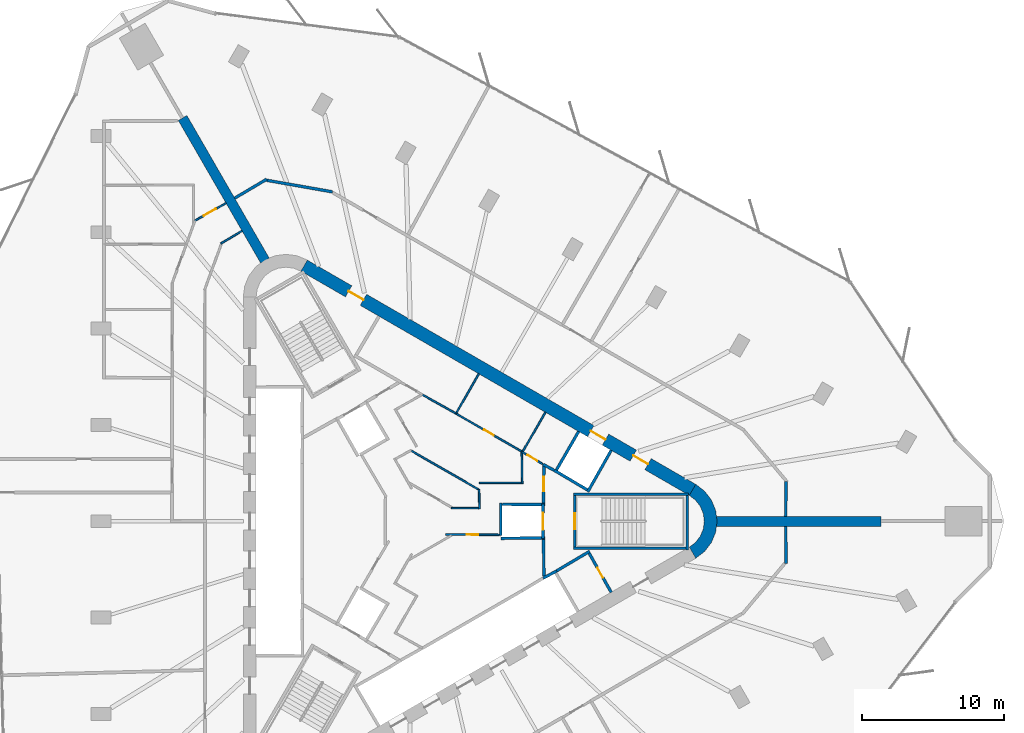
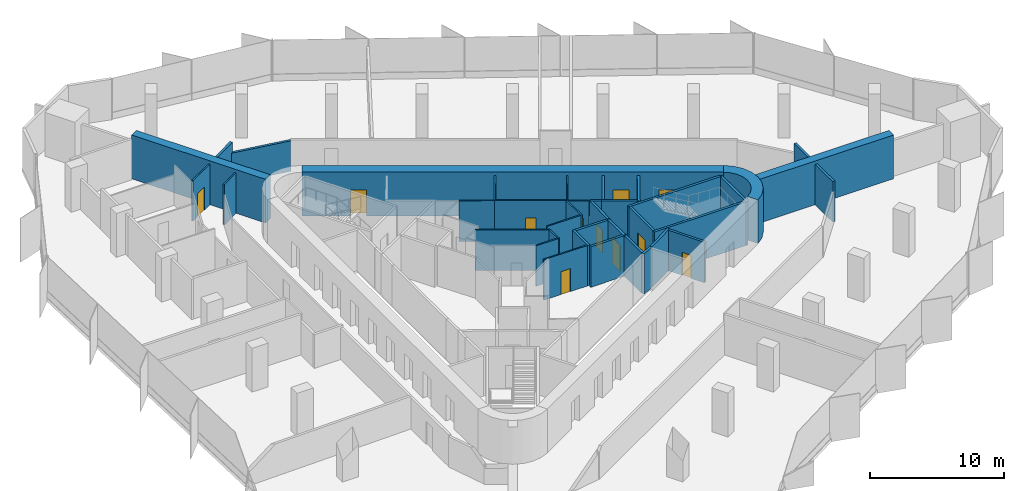
# One storey, part 11 of 14: 38 walls, 11 doors, 11 openings.
"""IFC4 building model written with IfcOpenShell, lengths in metres."""

from ifc_helpers import new_model, si_unit, direction, frame, frame_2d, origin, place, context, subcontext, project, spatial, polyline, rectangle, outline, extrude, material, layer, layer_set, type_object, element, fill, save


model = new_model("IFC4")

# Units and contexts
model_context = context("Model", 3, precision=1e-05, world=origin(), true_north=direction((0.0, 1.0)))
body_context = subcontext(model_context, "Body", "Model", "MODEL_VIEW")
ifc_project = project(units=[si_unit("LENGTHUNIT", "METRE"), si_unit("AREAUNIT", "SQUARE_METRE"), si_unit("VOLUMEUNIT", "CUBIC_METRE"), si_unit("PLANEANGLEUNIT", "RADIAN"), si_unit("MASSUNIT", "GRAM", prefix="KILO")], contexts=[model_context])

# Site, building, storey
site_placement = place(None, origin())
site = spatial("IfcSite", under=ifc_project, at=site_placement, CompositionType="ELEMENT")
building_placement = place(site_placement, origin())
building = spatial("IfcBuilding", under=site, at=building_placement, Name="Tanit Gate Tower", CompositionType="ELEMENT")
storey_placement = place(building_placement, frame((0.0, 0.0, 221.199951171875)))
storey = spatial("IfcBuildingStorey", under=building, at=storey_placement, Name="L49", CompositionType="ELEMENT", Elevation=221.199951171875)

# Walls
ifc_material_1 = material(Name="Concrete C50/60", Category="concrete")
ifc_layer_1 = layer(ifc_material_1, 0.699951171875)
ifc_layer_set_1 = layer_set([ifc_layer_1], Name="BUTTRESS FIN 700 C50/60")
wall_type_1 = type_object("IfcWallType", Name="BUTTRESS FIN 700 C50/60", PredefinedType="SHEAR", material=ifc_layer_set_1)
for number, where, z_axis, x_axis, name in (
    (1, (21.14990234375, 0.0, 0.0), (0.0, 0.0, 1.0), (1.0, 0.0, 0.0), "BUTTRESS FIN"),
    (2, (-10.574951171875, 18.31640625, 0.0), (0.0, 0.0, 1.0), (-0.499998001389, 0.86602655768, 0.0), "BUTTRESS FIN"),
):
    element("IfcWall", number, at=place(storey_placement, frame(where, z_axis=z_axis, x_axis=x_axis)), inside=storey, type_object=wall_type_1, Name=name, PredefinedType="SHEAR", context=body_context, shape_type="SweptSolid", body=[
        extrude(rectangle(XDim=11.5810546875, YDim=0.699951171875, at=frame_2d((5.79052734375, 0.0))), origin(), (0.0, 0.0, 1.0), 4.0),
    ])

# Wall, openings, doors
ifc_material_2 = material(Name="Concrete C50/60", Category="concrete")
ifc_layer_2 = layer(ifc_material_2, 0.89990234375)
ifc_layer_set_2 = layer_set([ifc_layer_2], Name="CORE WALL 900 C50/60")
wall_type_2 = type_object("IfcWallType", Name="CORE WALL 900 C50/60", PredefinedType="SHEAR", material=ifc_layer_set_2)
wall_1_placement = place(storey_placement, frame((19.47509765625, 2.20849609375, 0.0), z_axis=(0.0, 0.0, 1.0), x_axis=(-0.866028369851, 0.499994862586, 0.0)))
wall_1 = element("IfcWall", 3, at=wall_1_placement, inside=storey, type_object=wall_type_2, Name="CORE WALL", PredefinedType="SHEAR", context=body_context, shape_type="SweptSolid", body=[
    extrude(rectangle(XDim=31.523193359375, YDim=0.89990234375, at=frame_2d((15.76171875, 0.0))), origin(), (0.0, 0.0, 1.0), 4.0),
])
opening_1_placement = place(wall_1_placement, frame((7.0615234375, 0.0, 0.0)))
opening_1 = element("IfcOpeningElement", 4, at=opening_1_placement, cuts=wall_1, Name="Opening LDML8-S13", PredefinedType="OPENING", context=body_context, shape_type="SweptSolid", body=[
    extrude(rectangle(XDim=1.199951171875, YDim=2.39990234375, at=frame_2d((0.60009765625, 1.199951171875))), frame((0.0, 0.4599609375, 0.0), z_axis=(0.0, -1.0, 0.0), x_axis=(1.0, 0.0, 0.0)), (0.0, 0.0, 1.0), 0.919921875),
])
opening_2_placement = place(wall_1_placement, frame((3.611572265625, 0.0, 0.0)))
opening_2 = element("IfcOpeningElement", 5, at=opening_2_placement, cuts=wall_1, Name="Opening F12-S13-FL1", PredefinedType="OPENING", context=body_context, shape_type="SweptSolid", body=[
    extrude(rectangle(XDim=1.199951171875, YDim=2.39990234375, at=frame_2d((0.60009765625, 1.199951171875))), frame((0.0, 0.4599609375, 0.0), z_axis=(0.0, -1.0, 0.0), x_axis=(1.0, 0.0, 0.0)), (0.0, 0.0, 1.0), 0.919921875),
])
opening_3_placement = place(wall_1_placement, frame((26.711669921875, 0.0, 0.0)))
opening_3 = element("IfcOpeningElement", 6, at=opening_3_placement, cuts=wall_1, Name="Opening F12-S13-S2", PredefinedType="OPENING", context=body_context, shape_type="SweptSolid", body=[
    extrude(rectangle(XDim=1.199951171875, YDim=2.39990234375, at=frame_2d((0.60009765625, 1.199951171875))), frame((0.0, 0.4599609375, 0.0), z_axis=(0.0, -1.0, 0.0), x_axis=(1.0, 0.0, 0.0)), (0.0, 0.0, 1.0), 0.919921875),
])
ifc_material_3 = material(Name="Fire-rated steel door leaf", Category="steel")
door_type_1 = type_object("IfcDoorType", Name="INT-DOOR-FIRE-LOBBY-1200", OperationType="NOTDEFINED", PredefinedType="USERDEFINED", material=ifc_material_3)
door_1_placement = place(opening_2_placement, origin())
door_1 = element("IfcDoor", 7, at=door_1_placement, inside=storey, type_object=door_type_1, Name="Door F12-S13-FL1", ObjectType="FIRE DOOR", OperationType="SINGLE_SWING_LEFT", OverallHeight=2.39990234375, OverallWidth=1.199951171875, PredefinedType="USERDEFINED", context=body_context, shape_type="SweptSolid", body=[
    extrude(rectangle(XDim=1.199951171875, YDim=2.39990234375, at=frame_2d((0.60009765625, 1.199951171875))), frame((0.0, 0.02490234375, 0.0), z_axis=(0.0, -1.0, 0.0), x_axis=(1.0, 0.0, 0.0)), (0.0, 0.0, 1.0), 0.050048828125),
])
fill(opening_2, door_1)
door_2_placement = place(opening_3_placement, origin())
door_2 = element("IfcDoor", 8, at=door_2_placement, inside=storey, type_object=door_type_1, Name="Door F12-S13-S2", ObjectType="FIRE DOOR", OperationType="SINGLE_SWING_RIGHT", OverallHeight=2.39990234375, OverallWidth=1.199951171875, PredefinedType="USERDEFINED", context=body_context, shape_type="SweptSolid", body=[
    extrude(rectangle(XDim=1.199951171875, YDim=2.39990234375, at=frame_2d((0.60009765625, 1.199951171875))), frame((0.0, 0.02490234375, 0.0), z_axis=(0.0, -1.0, 0.0), x_axis=(1.0, 0.0, 0.0)), (0.0, 0.0, 1.0), 0.050048828125),
])
fill(opening_3, door_2)
ifc_material_4 = material(Name="Stainless steel sliding door leaf", Category="steel")
door_type_2 = type_object("IfcDoorType", Name="INT-DOOR-LANDING-1200", OperationType="NOTDEFINED", PredefinedType="USERDEFINED", material=ifc_material_4)
door_3_placement = place(opening_1_placement, origin())
door_3 = element("IfcDoor", 9, at=door_3_placement, inside=storey, type_object=door_type_2, Name="Door LDML8-S13", ObjectType="LANDING DOOR", OperationType="SLIDING_TO_LEFT", OverallHeight=2.39990234375, OverallWidth=1.199951171875, PredefinedType="USERDEFINED", context=body_context, shape_type="SweptSolid", body=[
    extrude(rectangle(XDim=1.199951171875, YDim=2.39990234375, at=frame_2d((0.60009765625, 1.199951171875))), frame((0.0, 0.02490234375, 0.0), z_axis=(0.0, -1.0, 0.0), x_axis=(1.0, 0.0, 0.0)), (0.0, 0.0, 1.0), 0.050048828125),
])
fill(opening_1, door_3)

# Walls
wall_2_placement = place(storey_placement, origin())
element("IfcWall", 10, at=wall_2_placement, inside=storey, type_object=wall_type_2, Name="CORE WALL CORNER", PredefinedType="SHEAR", context=body_context, shape_type="SweptSolid", body=[
    extrude(outline(polyline([(19.699951171875, -2.59814453125), (20.3212890625, -2.121337890625), (20.798095703125, -1.5), (21.097900390625, -0.776611328125), (21.199951171875, 0.0), (21.097900390625, 0.776611328125), (20.798095703125, 1.5), (20.3212890625, 2.121337890625), (19.699951171875, 2.59814453125), (19.25, 1.818603515625), (19.684814453125, 1.48486328125), (20.018798828125, 1.050048828125), (20.228515625, 0.54345703125), (20.300048828125, 0.0), (20.228515625, -0.54345703125), (20.018798828125, -1.050048828125), (19.684814453125, -1.48486328125), (19.25, -1.818603515625), (19.699951171875, -2.59814453125)])), origin(), (0.0, 0.0, 1.0), 4.0),
])
ifc_material_5 = material(Name="Fire-rated gypsum board partition")
ifc_layer_3 = layer(ifc_material_5, 0.199951171875)
ifc_layer_set_3 = layer_set([ifc_layer_3], Name="INT-WALL-COMPARTMENT")
wall_type_3 = type_object("IfcWallType", Name="INT-WALL-COMPARTMENT", PredefinedType="PARTITIONING", material=ifc_layer_set_3)
wall_3_placement = place(storey_placement, frame((8.97412109375, 3.998779296875, 0.0), z_axis=(0.0, 0.0, 1.0), x_axis=(0.880917147855, -0.473270513147, 0.0)))
element("IfcWall", 11, at=wall_3_placement, inside=storey, type_object=wall_type_3, Name="Wall Compartment W050", PredefinedType="PARTITIONING", context=body_context, shape_type="SweptSolid", body=[
    extrude(rectangle(XDim=0.8779296875, YDim=0.199951171875, at=frame_2d((0.43896484375, 0.0))), origin(), (0.0, 0.0, 1.0), 3.699951171875),
])
wall_4_placement = place(storey_placement, frame((12.244873046875, -2.10888671875, 0.0), z_axis=(0.0, 0.0, 1.0), x_axis=(-0.860414880418, -0.509594185166, 0.0)))
element("IfcWall", 12, at=wall_4_placement, inside=storey, type_object=wall_type_3, Name="Wall Compartment W058", PredefinedType="PARTITIONING", context=body_context, shape_type="SweptSolid", body=[
    extrude(rectangle(XDim=2.7001953125, YDim=0.199951171875, at=frame_2d((1.35009765625, 0.0))), origin(), (0.0, 0.0, 1.0), 3.699951171875),
])

# Wall, opening, door
wall_5_placement = place(storey_placement, frame((13.758056640625, -4.989501953125, 0.0), z_axis=(0.0, 0.0, 1.0), x_axis=(-0.491993409184, 0.87059892334, 0.0)))
wall_5 = element("IfcWall", 13, at=wall_5_placement, inside=storey, type_object=wall_type_3, Name="Wall Compartment W059", PredefinedType="PARTITIONING", context=body_context, shape_type="SweptSolid", body=[
    extrude(rectangle(XDim=3.150146484375, YDim=0.199951171875, at=frame_2d((1.5751953125, 0.0))), origin(), (0.0, 0.0, 1.0), 3.699951171875),
])
opening_4_placement = place(wall_5_placement, frame((1.175048828125, 0.0, 0.0)))
opening_4 = element("IfcOpeningElement", 14, at=opening_4_placement, cuts=wall_5, Name="Opening R08-S13-17", PredefinedType="OPENING", context=body_context, shape_type="SweptSolid", body=[
    extrude(rectangle(XDim=0.800048828125, YDim=2.10009765625, at=frame_2d((0.39990234375, 1.050048828125))), frame((0.0, 0.10986328125, 0.0), z_axis=(0.0, -1.0, 0.0), x_axis=(1.0, 0.0, 0.0)), (0.0, 0.0, 1.0), 0.219970703125),
])
ifc_material_6 = material(Name="Timber door leaf", Category="wood")
door_type_3 = type_object("IfcDoorType", Name="INT-DOOR-RISER-800", OperationType="NOTDEFINED", PredefinedType="USERDEFINED", material=ifc_material_6)
door_4_placement = place(opening_4_placement, origin())
door_4 = element("IfcDoor", 15, at=door_4_placement, inside=storey, type_object=door_type_3, Name="Door R08-S13-17", ObjectType="FIRE DOOR", OperationType="SINGLE_SWING_RIGHT", OverallHeight=2.10009765625, OverallWidth=0.800048828125, PredefinedType="USERDEFINED", context=body_context, shape_type="SweptSolid", body=[
    extrude(rectangle(XDim=0.800048828125, YDim=2.10009765625, at=frame_2d((0.39990234375, 1.050048828125))), frame((0.0, 0.02490234375, 0.0), z_axis=(0.0, -1.0, 0.0), x_axis=(1.0, 0.0, 0.0)), (0.0, 0.0, 1.0), 0.050048828125),
])
fill(opening_4, door_4)

# Wall
wall_6_placement = place(storey_placement, frame((9.02880859375, -3.8505859375, 0.0), z_axis=(0.0, 0.0, 1.0), x_axis=(-0.010784614026, 0.999941844359, 0.0)))
element("IfcWall", 16, at=wall_6_placement, inside=storey, type_object=wall_type_3, Name="Wall Compartment W060", PredefinedType="PARTITIONING", context=body_context, shape_type="SweptSolid", body=[
    extrude(rectangle(XDim=2.580810546875, YDim=0.199951171875, at=frame_2d((1.29052734375, 0.0))), origin(), (0.0, 0.0, 1.0), 3.699951171875),
])

# Wall, opening, door
wall_7_placement = place(storey_placement, frame((9.0009765625, 1.27001953125, 0.0), z_axis=(0.0, 0.0, 1.0), x_axis=(0.010728802716, 0.99994244474, 0.0)))
wall_7 = element("IfcWall", 17, at=wall_7_placement, inside=storey, type_object=wall_type_3, Name="Wall Compartment W061", PredefinedType="PARTITIONING", context=body_context, shape_type="SweptSolid", body=[
    extrude(rectangle(XDim=2.7080078125, YDim=0.199951171875, at=frame_2d((1.35400390625, 0.0))), origin(), (0.0, 0.0, 1.0), 3.699951171875),
])
opening_5_placement = place(wall_7_placement, frame((0.848388671875, 0.0, 0.0)))
opening_5 = element("IfcOpeningElement", 18, at=opening_5_placement, cuts=wall_7, Name="Opening F10-S13-02", PredefinedType="OPENING", context=body_context, shape_type="SweptSolid", body=[
    extrude(rectangle(XDim=1.0, YDim=2.10009765625, at=frame_2d((0.5, 1.050048828125))), frame((0.0, 0.10986328125, 0.0), z_axis=(0.0, -1.0, 0.0), x_axis=(1.0, 0.0, 0.0)), (0.0, 0.0, 1.0), 0.219970703125),
])
ifc_material_7 = material(Name="Fire-rated steel door leaf", Category="steel")
door_type_4 = type_object("IfcDoorType", Name="INT-DOOR-FIRE-1000", OperationType="NOTDEFINED", PredefinedType="USERDEFINED", material=ifc_material_7)
door_5_placement = place(opening_5_placement, origin())
door_5 = element("IfcDoor", 19, at=door_5_placement, inside=storey, type_object=door_type_4, Name="Door F10-S13-02", ObjectType="FIRE DOOR", OperationType="SINGLE_SWING_LEFT", OverallHeight=2.10009765625, OverallWidth=1.0, PredefinedType="USERDEFINED", context=body_context, shape_type="SweptSolid", body=[
    extrude(rectangle(XDim=1.0, YDim=2.10009765625, at=frame_2d((0.5, 1.050048828125))), frame((0.0, 0.02490234375, 0.0), z_axis=(0.0, -1.0, 0.0), x_axis=(1.0, 0.0, 0.0)), (0.0, 0.0, 1.0), 0.050048828125),
])
fill(opening_5, door_5)

# Walls
wall_8_placement = place(storey_placement, frame((-10.449462890625, 24.0439453125, 0.0), z_axis=(0.0, 0.0, 1.0), x_axis=(-0.860744847861, -0.509036645912, 0.0)))
element("IfcWall", 20, at=wall_8_placement, inside=storey, type_object=wall_type_3, Name="Wall Compartment W102", PredefinedType="PARTITIONING", context=body_context, shape_type="SweptSolid", body=[
    extrude(rectangle(XDim=2.62255859375, YDim=0.199951171875, at=frame_2d((1.311279296875, 0.0))), origin(), (0.0, 0.0, 1.0), 3.699951171875),
])
wall_9_placement = place(storey_placement, frame((-5.833740234375, 23.153076171875, 0.0), z_axis=(0.0, 0.0, 1.0), x_axis=(-0.98481258102, 0.173620794447, 0.0)))
element("IfcWall", 21, at=wall_9_placement, inside=storey, type_object=wall_type_3, Name="Wall Compartment W103", PredefinedType="PARTITIONING", context=body_context, shape_type="SweptSolid", body=[
    extrude(rectangle(XDim=4.740234375, YDim=0.199951171875, at=frame_2d((2.3701171875, 0.0))), origin(), (0.0, 0.0, 1.0), 2.780029296875),
])
wall_10_placement = place(storey_placement, frame((26.019775390625, 0.35009765625, 0.0), z_axis=(0.0, 0.0, 1.0), x_axis=(0.010532007244, 0.999944536874, 0.0)))
element("IfcWall", 22, at=wall_10_placement, inside=storey, type_object=wall_type_3, Name="Wall Compartment W108", PredefinedType="PARTITIONING", context=body_context, shape_type="SweptSolid", body=[
    extrude(rectangle(XDim=2.457275390625, YDim=0.199951171875, at=frame_2d((1.228515625, 0.0))), origin(), (0.0, 0.0, 1.0), 3.699951171875),
])
wall_11_placement = place(storey_placement, frame((26.04736328125, -2.972412109375, 0.0), z_axis=(0.0, 0.0, 1.0), x_axis=(-0.010519853563, 0.99994466481, 0.0)))
element("IfcWall", 23, at=wall_11_placement, inside=storey, type_object=wall_type_3, Name="Wall Compartment W110", PredefinedType="PARTITIONING", context=body_context, shape_type="SweptSolid", body=[
    extrude(rectangle(XDim=2.62255859375, YDim=0.199951171875, at=frame_2d((1.311279296875, 0.0))), origin(), (0.0, 0.0, 1.0), 3.699951171875),
])
ifc_material_8 = material(Name="Gypsum board partition")
ifc_layer_4 = layer(ifc_material_8, 0.1201171875)
ifc_layer_set_4 = layer_set([ifc_layer_4], Name="INT-WALL-PARTITION")
wall_type_4 = type_object("IfcWallType", Name="INT-WALL-PARTITION", PredefinedType="PARTITIONING", material=ifc_layer_set_4)
wall_12_placement = place(storey_placement, frame((7.50830078125, 4.844970703125, 0.0), z_axis=(0.0, 0.0, 1.0), x_axis=(0.500017246033, 0.866015446554, 0.0)))
element("IfcWall", 24, at=wall_12_placement, inside=storey, type_object=wall_type_4, Name="Wall Partition W049", PredefinedType="PARTITIONING", context=body_context, shape_type="SweptSolid", body=[
    extrude(rectangle(XDim=3.25, YDim=0.1201171875, at=frame_2d((1.625, 0.0))), origin(), (0.0, 0.0, 1.0), 3.699951171875),
])

# Wall, opening, door
wall_13_placement = place(storey_placement, frame((7.4931640625, 4.87841796875, 0.0), z_axis=(0.0, 0.0, 1.0), x_axis=(0.8599829515, -0.510322763679, 0.0)))
wall_13 = element("IfcWall", 25, at=wall_13_placement, inside=storey, type_object=wall_type_4, Name="Wall Partition W051", PredefinedType="PARTITIONING", context=body_context, shape_type="SweptSolid", body=[
    extrude(rectangle(XDim=1.671630859375, YDim=0.1201171875, at=frame_2d((0.8359375, 0.0))), origin(), (0.0, 0.0, 1.0), 3.699951171875),
])
opening_6_placement = place(wall_13_placement, frame((0.435791015625, 0.0, 0.0)))
opening_6 = element("IfcOpeningElement", 26, at=opening_6_placement, cuts=wall_13, Name="Opening R08-S13-14", PredefinedType="OPENING", context=body_context, shape_type="SweptSolid", body=[
    extrude(rectangle(XDim=0.800048828125, YDim=2.10009765625, at=frame_2d((0.39990234375, 1.050048828125))), frame((0.0, 0.070068359375, 0.0), z_axis=(0.0, -1.0, 0.0), x_axis=(1.0, 0.0, 0.0)), (0.0, 0.0, 1.0), 0.14013671875),
])
door_6_placement = place(opening_6_placement, origin())
door_6 = element("IfcDoor", 27, at=door_6_placement, inside=storey, type_object=door_type_3, Name="Door R08-S13-14", ObjectType="FIRE DOOR", OperationType="SINGLE_SWING_RIGHT", OverallHeight=2.10009765625, OverallWidth=0.800048828125, PredefinedType="USERDEFINED", context=body_context, shape_type="SweptSolid", body=[
    extrude(rectangle(XDim=0.800048828125, YDim=2.10009765625, at=frame_2d((0.39990234375, 1.050048828125))), frame((0.0, 0.02490234375, 0.0), z_axis=(0.0, -1.0, 0.0), x_axis=(1.0, 0.0, 0.0)), (0.0, 0.0, 1.0), 0.050048828125),
])
fill(opening_6, door_6)

# Wall
wall_14_placement = place(storey_placement, frame((2.831787109375, 7.544921875, 0.0), z_axis=(0.0, 0.0, 1.0), x_axis=(0.500017246033, 0.866015446554, 0.0)))
element("IfcWall", 28, at=wall_14_placement, inside=storey, type_object=wall_type_4, Name="Wall Partition W052", PredefinedType="PARTITIONING", context=body_context, shape_type="SweptSolid", body=[
    extrude(rectangle(XDim=3.25, YDim=0.1201171875, at=frame_2d((1.625, 0.0))), origin(), (0.0, 0.0, 1.0), 3.699951171875),
])

# Wall, opening, door
wall_15_placement = place(storey_placement, frame((7.497314453125, 4.885986328125, 0.0), z_axis=(0.0, 0.0, 1.0), x_axis=(-0.866028230842, 0.499995103361, 0.0)))
wall_15 = element("IfcWall", 29, at=wall_15_placement, inside=storey, type_object=wall_type_4, Name="Wall Partition W053", PredefinedType="PARTITIONING", context=body_context, shape_type="SweptSolid", body=[
    extrude(rectangle(XDim=5.39990234375, YDim=0.1201171875, at=frame_2d((2.699951171875, 0.0))), origin(), (0.0, 0.0, 1.0), 3.699951171875),
])
opening_7_placement = place(wall_15_placement, frame((2.300048828125, 0.0, 0.0)))
opening_7 = element("IfcOpeningElement", 30, at=opening_7_placement, cuts=wall_15, Name="Opening R08-S13-15", PredefinedType="OPENING", context=body_context, shape_type="SweptSolid", body=[
    extrude(rectangle(XDim=0.800048828125, YDim=2.10009765625, at=frame_2d((0.39990234375, 1.050048828125))), frame((0.0, 0.070068359375, 0.0), z_axis=(0.0, -1.0, 0.0), x_axis=(1.0, 0.0, 0.0)), (0.0, 0.0, 1.0), 0.14013671875),
])
door_7_placement = place(opening_7_placement, origin())
door_7 = element("IfcDoor", 31, at=door_7_placement, inside=storey, type_object=door_type_3, Name="Door R08-S13-15", ObjectType="FIRE DOOR", OperationType="SINGLE_SWING_RIGHT", OverallHeight=2.10009765625, OverallWidth=0.800048828125, PredefinedType="USERDEFINED", context=body_context, shape_type="SweptSolid", body=[
    extrude(rectangle(XDim=0.800048828125, YDim=2.10009765625, at=frame_2d((0.39990234375, 1.050048828125))), frame((0.0, 0.02490234375, 0.0), z_axis=(0.0, -1.0, 0.0), x_axis=(1.0, 0.0, 0.0)), (0.0, 0.0, 1.0), 0.050048828125),
])
fill(opening_7, door_7)

# Wall
wall_16_placement = place(storey_placement, frame((2.82080078125, 7.5859375, 0.0), z_axis=(0.0, 0.0, 1.0), x_axis=(-0.871426548871, 0.490526013503, 0.0)))
element("IfcWall", 32, at=wall_16_placement, inside=storey, type_object=wall_type_4, Name="Wall Partition W056", PredefinedType="PARTITIONING", context=body_context, shape_type="SweptSolid", body=[
    extrude(rectangle(XDim=2.670166015625, YDim=0.1201171875, at=frame_2d((1.3349609375, 0.0))), origin(), (0.0, 0.0, 1.0), 3.699951171875),
])

# Wall, opening, door
wall_17_placement = place(storey_placement, frame((5.89990234375, -0.953857421875, 0.0), z_axis=(0.0, 0.0, 1.0), x_axis=(-0.999970929415, 0.00762498027, 0.0)))
wall_17 = element("IfcWall", 33, at=wall_17_placement, inside=storey, type_object=wall_type_4, Name="Wall Partition W074", PredefinedType="PARTITIONING", context=body_context, shape_type="SweptSolid", body=[
    extrude(rectangle(XDim=3.778076171875, YDim=0.1201171875, at=frame_2d((1.88916015625, 0.0))), origin(), (0.0, 0.0, 1.0), 3.699951171875),
])
opening_8_placement = place(wall_17_placement, frame((1.4892578125, 0.0, 0.0)))
opening_8 = element("IfcOpeningElement", 34, at=opening_8_placement, cuts=wall_17, Name="Opening R08-S13-11", PredefinedType="OPENING", context=body_context, shape_type="SweptSolid", body=[
    extrude(rectangle(XDim=0.800048828125, YDim=2.10009765625, at=frame_2d((0.39990234375, 1.050048828125))), frame((0.0, 0.070068359375, 0.0), z_axis=(0.0, -1.0, 0.0), x_axis=(1.0, 0.0, 0.0)), (0.0, 0.0, 1.0), 0.14013671875),
])
door_8_placement = place(opening_8_placement, origin())
door_8 = element("IfcDoor", 35, at=door_8_placement, inside=storey, type_object=door_type_3, Name="Door R08-S13-11", ObjectType="FIRE DOOR", OperationType="SINGLE_SWING_RIGHT", OverallHeight=2.10009765625, OverallWidth=0.800048828125, PredefinedType="USERDEFINED", context=body_context, shape_type="SweptSolid", body=[
    extrude(rectangle(XDim=0.800048828125, YDim=2.10009765625, at=frame_2d((0.39990234375, 1.050048828125))), frame((0.0, 0.02490234375, 0.0), z_axis=(0.0, -1.0, 0.0), x_axis=(1.0, 0.0, 0.0)), (0.0, 0.0, 1.0), 0.050048828125),
])
fill(opening_8, door_8)

# Walls
wall_18_placement = place(storey_placement, frame((-0.350830078125, 4.99365234375, 0.0), z_axis=(0.0, 0.0, 1.0), x_axis=(0.866277754418, -0.499562660935, 0.0)))
element("IfcWall", 36, at=wall_18_placement, inside=storey, type_object=wall_type_4, Name="Wall Partition W075", PredefinedType="PARTITIONING", context=body_context, shape_type="SweptSolid", body=[
    extrude(rectangle(XDim=5.599609375, YDim=0.1201171875, at=frame_2d((2.7998046875, 0.0))), origin(), (0.0, 0.0, 1.0), 3.699951171875),
])
wall_19_placement = place(storey_placement, frame((4.501220703125, 0.864990234375, 0.0), z_axis=(0.0, 0.0, 1.0), x_axis=(-0.022315079617, 0.999750987607, 0.0)))
element("IfcWall", 37, at=wall_19_placement, inside=storey, type_object=wall_type_4, Name="Wall Partition W076", PredefinedType="PARTITIONING", context=body_context, shape_type="SweptSolid", body=[
    extrude(rectangle(XDim=1.37841796875, YDim=0.1201171875, at=frame_2d((0.689208984375, 0.0))), origin(), (0.0, 0.0, 1.0), 3.699951171875),
])
wall_20_placement = place(storey_placement, frame((2.5302734375, 0.925048828125, 0.0), z_axis=(0.0, 0.0, 1.0), x_axis=(1.0, 0.0, 0.0)))
element("IfcWall", 38, at=wall_20_placement, inside=storey, type_object=wall_type_4, Name="Wall Partition W077", PredefinedType="PARTITIONING", context=body_context, shape_type="SweptSolid", body=[
    extrude(rectangle(XDim=1.90966796875, YDim=0.1201171875, at=frame_2d((0.954833984375, 0.0))), origin(), (0.0, 0.0, 1.0), 3.699951171875),
])
wall_21_placement = place(storey_placement, frame((7.500732421875, 2.639892578125, 0.0), z_axis=(0.0, 0.0, 1.0), x_axis=(-0.01174194727, 0.999931060961, 0.0)))
element("IfcWall", 39, at=wall_21_placement, inside=storey, type_object=wall_type_4, Name="Wall Partition W083", PredefinedType="PARTITIONING", context=body_context, shape_type="SweptSolid", body=[
    extrude(rectangle(XDim=2.224853515625, YDim=0.1201171875, at=frame_2d((1.1123046875, 0.0))), origin(), (0.0, 0.0, 1.0), 3.699951171875),
])
wall_22_placement = place(storey_placement, frame((4.5, 2.699951171875, 0.0), z_axis=(0.0, 0.0, 1.0), x_axis=(1.0, 0.0, 0.0)))
element("IfcWall", 40, at=wall_22_placement, inside=storey, type_object=wall_type_4, Name="Wall Partition W084", PredefinedType="PARTITIONING", context=body_context, shape_type="SweptSolid", body=[
    extrude(rectangle(XDim=2.93994140625, YDim=0.1201171875, at=frame_2d((1.469970703125, 0.0))), origin(), (0.0, 0.0, 1.0), 3.699951171875),
])
wall_23_placement = place(storey_placement, frame((-12.188720703125, 20.411376953125, 0.0), z_axis=(0.0, 0.0, 1.0), x_axis=(-0.858492721014, -0.51282574815, 0.0)))
element("IfcWall", 41, at=wall_23_placement, inside=storey, type_object=wall_type_4, Name="Wall Partition W085", PredefinedType="PARTITIONING", context=body_context, shape_type="SweptSolid", body=[
    extrude(rectangle(XDim=1.742431640625, YDim=0.1201171875, at=frame_2d((0.87109375, 0.0))), origin(), (0.0, 0.0, 1.0), 3.699951171875),
])

# Wall, opening, door
wall_24_placement = place(storey_placement, frame((-13.31298828125, 22.35888671875, 0.0), z_axis=(0.0, 0.0, 1.0), x_axis=(-0.87126053708, -0.490820819167, 0.0)))
wall_24 = element("IfcWall", 42, at=wall_24_placement, inside=storey, type_object=wall_type_4, Name="Wall Partition W096", PredefinedType="PARTITIONING", context=body_context, shape_type="SweptSolid", body=[
    extrude(rectangle(XDim=2.505859375, YDim=0.1201171875, at=frame_2d((1.2529296875, 0.0))), origin(), (0.0, 0.0, 1.0), 3.699951171875),
])
opening_9_placement = place(wall_24_placement, frame((0.802978515625, 0.0, 0.0)))
opening_9 = element("IfcOpeningElement", 43, at=opening_9_placement, cuts=wall_24, Name="Opening D10-S13-25", PredefinedType="OPENING", context=body_context, shape_type="SweptSolid", body=[
    extrude(rectangle(XDim=1.0, YDim=2.10009765625, at=frame_2d((0.5, 1.050048828125))), frame((0.0, 0.070068359375, 0.0), z_axis=(0.0, -1.0, 0.0), x_axis=(1.0, 0.0, 0.0)), (0.0, 0.0, 1.0), 0.14013671875),
])
ifc_material_9 = material(Name="Timber door leaf", Category="wood")
door_type_5 = type_object("IfcDoorType", Name="INT-DOOR-SINGLE-1000", OperationType="NOTDEFINED", PredefinedType="NOTDEFINED", material=ifc_material_9)
door_9_placement = place(opening_9_placement, origin())
door_9 = element("IfcDoor", 44, at=door_9_placement, inside=storey, type_object=door_type_5, Name="Door D10-S13-25", OperationType="SINGLE_SWING_LEFT", OverallHeight=2.10009765625, OverallWidth=1.0, PredefinedType="NOTDEFINED", context=body_context, shape_type="SweptSolid", body=[
    extrude(rectangle(XDim=1.0, YDim=2.10009765625, at=frame_2d((0.5, 1.050048828125))), frame((0.0, 0.02490234375, 0.0), z_axis=(0.0, -1.0, 0.0), x_axis=(1.0, 0.0, 0.0)), (0.0, 0.0, 1.0), 0.050048828125),
])
fill(opening_9, door_9)

# Walls
ifc_material_10 = material(Name="Gypsum shaft wall system")
ifc_layer_5 = layer(ifc_material_10, 0.199951171875)
ifc_layer_set_5 = layer_set([ifc_layer_5], Name="INT-WALL-SHAFT")
wall_type_5 = type_object("IfcWallType", Name="INT-WALL-SHAFT", PredefinedType="PLUMBINGWALL", material=ifc_layer_set_5)
wall_25_placement = place(storey_placement, frame((9.8466796875, 3.494873046875, 0.0), z_axis=(0.0, 0.0, 1.0), x_axis=(0.499984717929, 0.866034226713, 0.0)))
element("IfcWall", 45, at=wall_25_placement, inside=storey, type_object=wall_type_5, Name="Wall Shaft W012", PredefinedType="PLUMBINGWALL", context=body_context, shape_type="SweptSolid", body=[
    extrude(rectangle(XDim=3.25, YDim=0.199951171875, at=frame_2d((1.625, 0.0))), origin(), (0.0, 0.0, 1.0), 3.699951171875),
])
wall_26_placement = place(storey_placement, frame((12.10986328125, 2.07275390625, 0.0), z_axis=(0.0, 0.0, 1.0), x_axis=(0.49196600604, 0.870614408852, 0.0)))
element("IfcWall", 46, at=wall_26_placement, inside=storey, type_object=wall_type_5, Name="Wall Shaft W013", PredefinedType="PLUMBINGWALL", context=body_context, shape_type="SweptSolid", body=[
    extrude(rectangle(XDim=3.35009765625, YDim=0.199951171875, at=frame_2d((1.675048828125, 0.0))), origin(), (0.0, 0.0, 1.0), 3.699951171875),
])
wall_27_placement = place(storey_placement, frame((12.072998046875, 2.2109375, 0.0), z_axis=(0.0, 0.0, 1.0), x_axis=(-0.860414880418, 0.509594185166, 0.0)))
element("IfcWall", 47, at=wall_27_placement, inside=storey, type_object=wall_type_5, Name="Wall Shaft W014", PredefinedType="PLUMBINGWALL", context=body_context, shape_type="SweptSolid", body=[
    extrude(rectangle(XDim=2.7001953125, YDim=0.199951171875, at=frame_2d((1.35009765625, 0.0))), origin(), (0.0, 0.0, 1.0), 3.699951171875),
])
wall_28_placement = place(storey_placement, frame((8.97412109375, -3.998779296875, 0.0), z_axis=(0.0, 0.0, 1.0), x_axis=(0.880907015104, 0.473289373154, 0.0)))
element("IfcWall", 48, at=wall_28_placement, inside=storey, type_object=wall_type_5, Name="Wall Shaft W017", PredefinedType="PLUMBINGWALL", context=body_context, shape_type="SweptSolid", body=[
    extrude(rectangle(XDim=1.078125, YDim=0.199951171875, at=frame_2d((0.5390625, 0.0))), origin(), (0.0, 0.0, 1.0), 3.699951171875),
])

# Wall, opening, door
wall_29_placement = place(storey_placement, frame((8.969970703125, 1.199951171875, 0.0), z_axis=(0.0, 0.0, 1.0), x_axis=(0.0, -1.0, 0.0)))
wall_29 = element("IfcWall", 49, at=wall_29_placement, inside=storey, type_object=wall_type_5, Name="Wall Shaft W029", PredefinedType="PLUMBINGWALL", context=body_context, shape_type="SweptSolid", body=[
    extrude(rectangle(XDim=2.39990234375, YDim=0.199951171875, at=frame_2d((1.199951171875, 0.0))), origin(), (0.0, 0.0, 1.0), 3.699951171875),
])
opening_10_placement = place(wall_29_placement, frame((0.60009765625, 0.0, 0.0)))
opening_10 = element("IfcOpeningElement", 50, at=opening_10_placement, cuts=wall_29, Name="Opening LDFL1-L49", PredefinedType="OPENING", context=body_context, shape_type="SweptSolid", body=[
    extrude(rectangle(XDim=1.199951171875, YDim=2.39990234375, at=frame_2d((0.60009765625, 1.199951171875))), frame((0.0, 0.10986328125, 0.0), z_axis=(0.0, -1.0, 0.0), x_axis=(1.0, 0.0, 0.0)), (0.0, 0.0, 1.0), 0.219970703125),
])
door_10_placement = place(opening_10_placement, origin())
door_10 = element("IfcDoor", 51, at=door_10_placement, inside=storey, type_object=door_type_2, Name="Door LDFL1-L49", ObjectType="LANDING DOOR", OperationType="SLIDING_TO_LEFT", OverallHeight=2.39990234375, OverallWidth=1.199951171875, PredefinedType="USERDEFINED", context=body_context, shape_type="SweptSolid", body=[
    extrude(rectangle(XDim=1.199951171875, YDim=2.39990234375, at=frame_2d((0.60009765625, 1.199951171875))), frame((0.0, 0.02490234375, 0.0), z_axis=(0.0, -1.0, 0.0), x_axis=(1.0, 0.0, 0.0)), (0.0, 0.0, 1.0), 0.050048828125),
])
fill(opening_10, door_10)

# Walls
wall_30_placement = place(storey_placement, frame((9.10009765625, -1.1689453125, 0.0), z_axis=(0.0, 0.0, 1.0), x_axis=(-0.999949988, -0.010001074852, 0.0)))
element("IfcWall", 52, at=wall_30_placement, inside=storey, type_object=wall_type_5, Name="Wall Shaft W030", PredefinedType="PLUMBINGWALL", context=body_context, shape_type="SweptSolid", body=[
    extrude(rectangle(XDim=3.100341796875, YDim=0.199951171875, at=frame_2d((1.55029296875, 0.0))), origin(), (0.0, 0.0, 1.0), 3.699951171875),
])
wall_31_placement = place(storey_placement, frame((6.0, -1.014404296875, 0.0), z_axis=(0.0, 0.0, 1.0), x_axis=(0.0, 1.0, 0.0)))
element("IfcWall", 53, at=wall_31_placement, inside=storey, type_object=wall_type_5, Name="Wall Shaft W031", PredefinedType="PLUMBINGWALL", context=body_context, shape_type="SweptSolid", body=[
    extrude(rectangle(XDim=2.314453125, YDim=0.199951171875, at=frame_2d((1.1572265625, 0.0))), origin(), (0.0, 0.0, 1.0), 3.699951171875),
])
wall_32_placement = place(storey_placement, frame((9.10009765625, 1.1689453125, 0.0), z_axis=(0.0, 0.0, 1.0), x_axis=(-0.99994990606, 0.010009264196, 0.0)))
element("IfcWall", 54, at=wall_32_placement, inside=storey, type_object=wall_type_5, Name="Wall Shaft W032", PredefinedType="PLUMBINGWALL", context=body_context, shape_type="SweptSolid", body=[
    extrude(rectangle(XDim=3.000244140625, YDim=0.199951171875, at=frame_2d((1.5, 0.0))), origin(), (0.0, 0.0, 1.0), 3.699951171875),
])
ifc_material_11 = material(Name="Concrete C40/50", Category="concrete")
ifc_layer_6 = layer(ifc_material_11, 0.199951171875)
ifc_layer_set_6 = layer_set([ifc_layer_6], Name="INT-WALL-STAIR")
wall_type_6 = type_object("IfcWallType", Name="INT-WALL-STAIR", PredefinedType="SHEAR", material=ifc_layer_set_6)
wall_33_placement = place(storey_placement, frame((19.199951171875, 1.89990234375, -0.300048828125), z_axis=(0.0, 0.0, 1.0), x_axis=(-1.0, 0.0, 0.0)))
element("IfcWall", 55, at=wall_33_placement, inside=storey, type_object=wall_type_6, Name="Wall Stair W025", PredefinedType="SHEAR", context=body_context, shape_type="SweptSolid", body=[
    extrude(rectangle(XDim=8.099853515625, YDim=0.199951171875, at=frame_2d((4.0498046875, 0.0))), origin(), (0.0, 0.0, 1.0), 4.0),
])
wall_34_placement = place(storey_placement, frame((19.10009765625, -2.0, -0.300048828125), z_axis=(0.0, 0.0, 1.0), x_axis=(0.0, 1.0, 0.0)))
element("IfcWall", 56, at=wall_34_placement, inside=storey, type_object=wall_type_6, Name="Wall Stair W026", PredefinedType="SHEAR", context=body_context, shape_type="SweptSolid", body=[
    extrude(rectangle(XDim=3.800048828125, YDim=0.199951171875, at=frame_2d((1.89990234375, 0.0))), origin(), (0.0, 0.0, 1.0), 4.0),
])
wall_35_placement = place(storey_placement, frame((11.10009765625, -1.89990234375, -0.300048828125), z_axis=(0.0, 0.0, 1.0), x_axis=(1.0, 0.0, 0.0)))
element("IfcWall", 57, at=wall_35_placement, inside=storey, type_object=wall_type_6, Name="Wall Stair W027", PredefinedType="SHEAR", context=body_context, shape_type="SweptSolid", body=[
    extrude(rectangle(XDim=7.89990234375, YDim=0.199951171875, at=frame_2d((3.949951171875, 0.0))), origin(), (0.0, 0.0, 1.0), 4.0),
])

# Wall, opening, door
wall_36_placement = place(storey_placement, frame((11.199951171875, -1.800048828125, -0.300048828125), z_axis=(0.0, 0.0, 1.0), x_axis=(0.0, 1.0, 0.0)))
wall_36 = element("IfcWall", 58, at=wall_36_placement, inside=storey, type_object=wall_type_6, Name="Wall Stair W028", PredefinedType="SHEAR", context=body_context, shape_type="SweptSolid", body=[
    extrude(rectangle(XDim=3.60009765625, YDim=0.199951171875, at=frame_2d((1.800048828125, 0.0))), origin(), (0.0, 0.0, 1.0), 4.0),
])
opening_11_placement = place(wall_36_placement, frame((1.25, 0.0, 0.300048828125)))
opening_11 = element("IfcOpeningElement", 59, at=opening_11_placement, cuts=wall_36, Name="Opening S11-S13-01", PredefinedType="OPENING", context=body_context, shape_type="SweptSolid", body=[
    extrude(rectangle(XDim=1.10009765625, YDim=2.10009765625, at=frame_2d((0.550048828125, 1.050048828125))), frame((0.0, 0.10986328125, 0.0), z_axis=(0.0, -1.0, 0.0), x_axis=(1.0, 0.0, 0.0)), (0.0, 0.0, 1.0), 0.219970703125),
])
ifc_material_12 = material(Name="Timber door leaf", Category="wood")
door_type_6 = type_object("IfcDoorType", Name="INT-DOOR-STAIR-1100", OperationType="NOTDEFINED", PredefinedType="USERDEFINED", material=ifc_material_12)
door_11_placement = place(opening_11_placement, origin())
door_11 = element("IfcDoor", 60, at=door_11_placement, inside=storey, type_object=door_type_6, Name="Door S11-S13-01", ObjectType="FIRE DOOR", OperationType="SINGLE_SWING_RIGHT", OverallHeight=2.10009765625, OverallWidth=1.10009765625, PredefinedType="USERDEFINED", context=body_context, shape_type="SweptSolid", body=[
    extrude(rectangle(XDim=1.10009765625, YDim=2.10009765625, at=frame_2d((0.550048828125, 1.050048828125))), frame((0.0, 0.02490234375, 0.0), z_axis=(0.0, -1.0, 0.0), x_axis=(1.0, 0.0, 0.0)), (0.0, 0.0, 1.0), 0.050048828125),
])
fill(opening_11, door_11)

save(model, "model.ifc")
